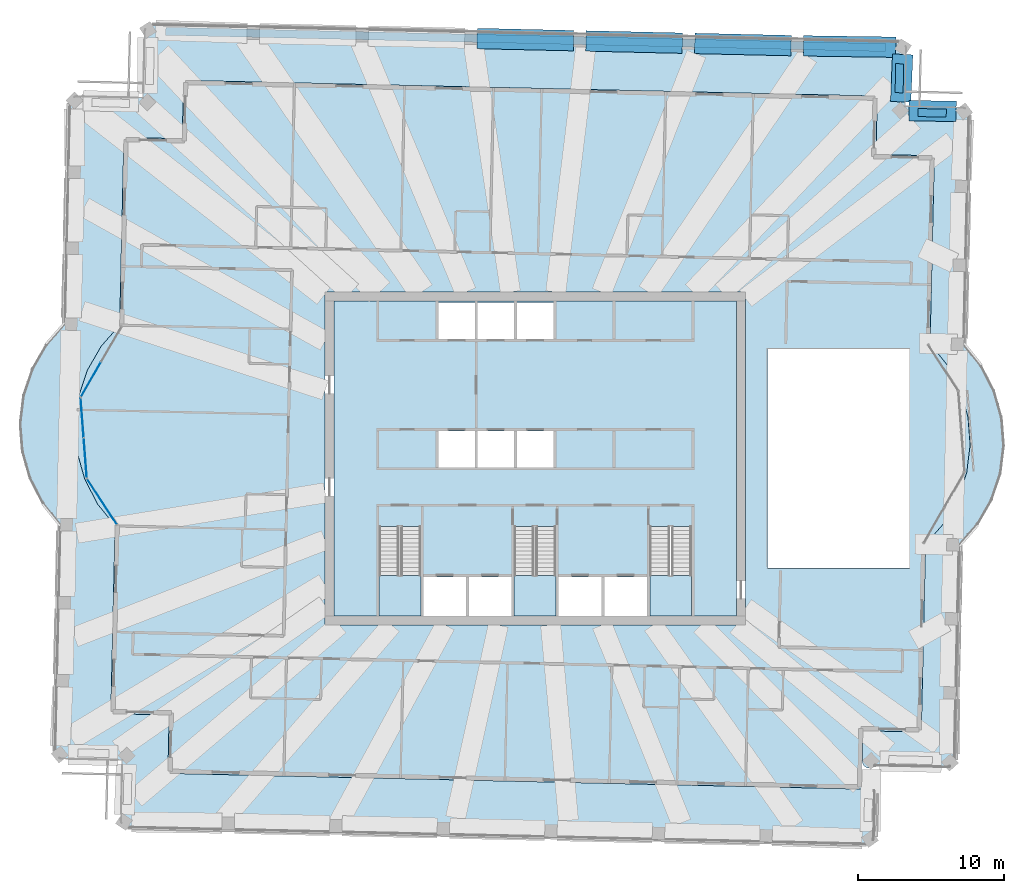
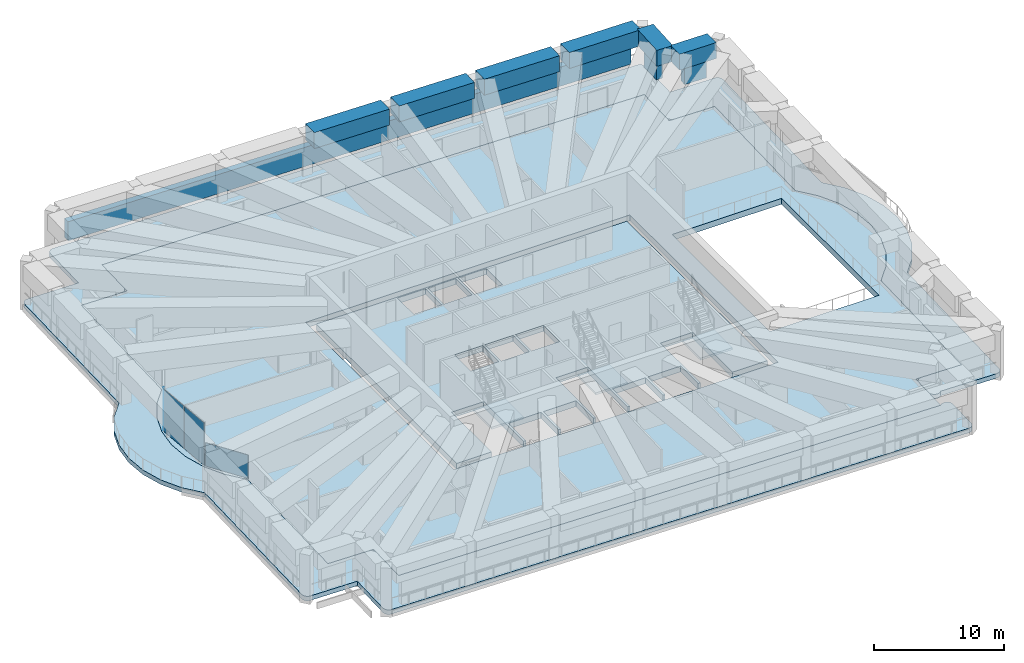
# One storey, part 8 of 21: 6 beams, 6 slabs, 4 plates, 3 members, 6 elements without a shape of their own.
"""IFC4 building model written with IfcOpenShell, lengths in metres."""

from ifc_helpers import new_model, si_unit, direction, frame, origin, origin_2d, place, context, subcontext, project, spatial, polyline, rectangle, outline, extrude, material, layer, layer_set, material_profile, profile_set, type_object, element, aggregate, save


model = new_model("IFC4")

# Units and contexts
model_context = context("Model", 3, precision=1e-05, world=origin(), true_north=direction((0.0, 1.0)))
body_context = subcontext(model_context, "Body", "Model", "MODEL_VIEW")
ifc_project = project(units=[si_unit("LENGTHUNIT", "METRE"), si_unit("AREAUNIT", "SQUARE_METRE"), si_unit("VOLUMEUNIT", "CUBIC_METRE"), si_unit("PLANEANGLEUNIT", "RADIAN"), si_unit("MASSUNIT", "GRAM", prefix="KILO")], contexts=[model_context])

# Site, building, storey
site_placement = place(None, origin())
site = spatial("IfcSite", under=ifc_project, at=site_placement, CompositionType="ELEMENT")
building_placement = place(site_placement, origin())
building = spatial("IfcBuilding", under=site, at=building_placement, Name="Mangrove Gate Tower", CompositionType="ELEMENT")
storey_placement = place(building_placement, frame((0.0, 0.0, 329.699951171875)))
storey = spatial("IfcBuildingStorey", under=building, at=storey_placement, Name="L84", CompositionType="ELEMENT", Elevation=329.699951171875)

# Members
ifc_material_1 = material(Name="Planting on aluminium trellis", Category="aluminium")
ifc_material_profile_1 = material_profile(ifc_material_1, rectangle(XDim=0.550048828125, YDim=1.800048828125, at=origin_2d()))
ifc_profile_set_1 = profile_set([ifc_material_profile_1], Name="Planting on aluminium trellis")
member_type = type_object("IfcMemberType", Name="Roof greenery screen 550x1800", PredefinedType="USERDEFINED", material=ifc_profile_set_1)
member_1_placement = place(storey_placement, frame((-25.3291015625, 29.280029296875, 1.699951171875), z_axis=(0.999742379265, -0.022697469065, 0.0), x_axis=(0.022697469065, 0.999742379265, 0.0)))
element("IfcMember", 1, at=member_1_placement, inside=storey, type_object=member_type, Name="GREEN SCREEN L84 T1.3.6", ObjectType="PLANTING", PredefinedType="USERDEFINED", context=body_context, shape_type="SweptSolid", body=[
    extrude(rectangle(XDim=0.550048828125, YDim=1.800048828125, at=origin_2d()), origin(), (0.0, 0.0, 1.0), 49.349853515625),
])
member_2_placement = place(storey_placement, frame((24.968017578125, 27.053955078125, 1.699951171875), z_axis=(-0.022601425009, -0.999744555168, 0.0), x_axis=(0.999744555168, -0.022601425009, 0.0)))
element("IfcMember", 2, at=member_2_placement, inside=storey, type_object=member_type, Name="GREEN SCREEN L84 T1.4.6", ObjectType="PLANTING", PredefinedType="USERDEFINED", context=body_context, shape_type="SweptSolid", body=[
    extrude(rectangle(XDim=0.550048828125, YDim=1.800048828125, at=origin_2d()), origin(), (0.0, 0.0, 1.0), 1.987548828125),
])
member_3_placement = place(storey_placement, frame((26.219970703125, 23.7099609375, 1.699951171875), z_axis=(0.999742745482, -0.022681332769, 0.0), x_axis=(0.022681332769, 0.999742745482, 0.0)))
element("IfcMember", 3, at=member_3_placement, inside=storey, type_object=member_type, Name="GREEN SCREEN L84 T1.4.9", ObjectType="PLANTING", PredefinedType="USERDEFINED", context=body_context, shape_type="SweptSolid", body=[
    extrude(rectangle(XDim=0.550048828125, YDim=1.800048828125, at=origin_2d()), origin(), (0.0, 0.0, 1.0), 1.9375),
])

# Beams
ifc_material_2 = material(Name="Concrete C50/60", Category="concrete")
ifc_material_profile_2 = material_profile(ifc_material_2, rectangle(XDim=1.39990234375, YDim=1.5, at=origin_2d()))
ifc_profile_set_2 = profile_set([ifc_material_profile_2], Name="Concrete C50/60")
beam_type = type_object("IfcBeamType", Name="Transfer girder RC 1400x1500 C50/60", PredefinedType="BEAM", material=ifc_profile_set_2)
beam_1_placement = place(storey_placement, frame((28.835693359375, 23.792724609375, 3.300048828125), z_axis=(-0.999882267326, 0.015344428505, 0.0), x_axis=(-0.015344428505, -0.999882267326, 0.0)))
element("IfcBeam", 4, at=beam_1_placement, inside=storey, type_object=beam_type, Name="Transfer ring girder L84 21", PredefinedType="BEAM", context=body_context, shape_type="SweptSolid", body=[
    extrude(rectangle(XDim=1.39990234375, YDim=1.5, at=origin_2d()), origin(), (0.0, 0.0, 1.0), 3.22998046875),
])
beam_2_placement = place(storey_placement, frame((25.03466796875, 24.4404296875, 3.300048828125), z_axis=(0.042188460551, 0.999109670555, 0.0), x_axis=(-0.999109670555, 0.042188460551, 0.0)))
element("IfcBeam", 5, at=beam_2_placement, inside=storey, type_object=beam_type, Name="Transfer ring girder L84 22", PredefinedType="BEAM", context=body_context, shape_type="SweptSolid", body=[
    extrude(rectangle(XDim=1.39990234375, YDim=1.5, at=origin_2d()), origin(), (0.0, 0.0, 1.0), 3.258056640625),
])
beam_3_placement = place(storey_placement, frame((24.697021484375, 28.190185546875, 3.300048828125), z_axis=(-0.999894517446, 0.014524254918, 0.0), x_axis=(-0.014524254918, -0.999894517446, 0.0)))
element("IfcBeam", 6, at=beam_3_placement, inside=storey, type_object=beam_type, Name="Transfer ring girder L84 23", PredefinedType="BEAM", context=body_context, shape_type="SweptSolid", body=[
    extrude(rectangle(XDim=1.39990234375, YDim=1.5, at=origin_2d()), origin(), (0.0, 0.0, 1.0), 6.3203125),
])
beam_4_placement = place(storey_placement, frame((17.527587890625, 28.2978515625, 3.300048828125), z_axis=(-0.999743435472, 0.022650899096, 0.0), x_axis=(-0.022650899096, -0.999743435472, 0.0)))
element("IfcBeam", 7, at=beam_4_placement, inside=storey, type_object=beam_type, Name="Transfer ring girder L84 24", PredefinedType="BEAM", context=body_context, shape_type="SweptSolid", body=[
    extrude(rectangle(XDim=1.39990234375, YDim=1.5, at=origin_2d()), origin(), (0.0, 0.0, 1.0), 6.607177734375),
])
beam_5_placement = place(storey_placement, frame((10.072509765625, 28.466796875, 3.300048828125), z_axis=(-0.999740135153, 0.022796099759, 0.0), x_axis=(-0.022796099759, -0.999740135153, 0.0)))
element("IfcBeam", 8, at=beam_5_placement, inside=storey, type_object=beam_type, Name="Transfer ring girder L84 25", PredefinedType="BEAM", context=body_context, shape_type="SweptSolid", body=[
    extrude(rectangle(XDim=1.39990234375, YDim=1.5, at=origin_2d()), origin(), (0.0, 0.0, 1.0), 6.60791015625),
])
beam_6_placement = place(storey_placement, frame((2.616455078125, 28.63671875, 3.300048828125), z_axis=(-0.999743416513, 0.022651735883, 0.0), x_axis=(-0.022651735883, -0.999743416513, 0.0)))
element("IfcBeam", 9, at=beam_6_placement, inside=storey, type_object=beam_type, Name="Transfer ring girder L84 26", PredefinedType="BEAM", context=body_context, shape_type="SweptSolid", body=[
    extrude(rectangle(XDim=1.39990234375, YDim=1.5, at=origin_2d()), origin(), (0.0, 0.0, 1.0), 6.60693359375),
])

# Slab
ifc_material_3 = material(Name="Concrete C40/50", Category="concrete")
ifc_layer_1 = layer(ifc_material_3, 0.550048828125)
ifc_layer_set_1 = layer_set([ifc_layer_1], Name="Core floor slab 550 C40/50")
slab_type_1 = type_object("IfcSlabType", Name="Core floor slab 550 C40/50", PredefinedType="FLOOR", material=ifc_layer_set_1)
slab_1_placement = place(storey_placement, frame((0.0, 0.0, -0.550048828125)))
element("IfcSlab", 10, at=slab_1_placement, inside=storey, type_object=slab_type_1, Name="SLAB-L84-CORE-1", PredefinedType="FLOOR", context=body_context, shape_type="SweptSolid", body=[
    extrude(outline(polyline([(-13.800048828125, -10.800048828125), (-13.800048828125, 10.800048828125), (13.800048828125, 10.800048828125), (13.800048828125, -10.800048828125), (10.699951171875, -10.800048828125), (10.699951171875, -4.653076171875), (7.85009765625, -4.653076171875), (7.85009765625, -10.800048828125), (7.64990234375, -10.800048828125), (7.64990234375, -8.10009765625), (4.72509765625, -8.10009765625), (4.72509765625, -10.800048828125), (4.52490234375, -10.800048828125), (4.52490234375, -8.10009765625), (1.60009765625, -8.10009765625), (1.60009765625, -10.800048828125), (1.39990234375, -10.800048828125), (1.39990234375, -4.653076171875), (-1.449951171875, -4.653076171875), (-1.449951171875, -10.800048828125), (-1.64990234375, -10.800048828125), (-1.64990234375, -8.10009765625), (-4.550048828125, -8.10009765625), (-4.550048828125, -10.800048828125), (-4.75, -10.800048828125), (-4.75, -8.10009765625), (-7.64990234375, -8.10009765625), (-7.64990234375, -10.800048828125), (-7.85009765625, -10.800048828125), (-7.85009765625, -4.653076171875), (-10.699951171875, -4.653076171875), (-10.699951171875, -10.800048828125), (-13.800048828125, -10.800048828125)]), holes=[polyline([(-4.14990234375, 1.89990234375), (-6.64990234375, 1.89990234375), (-6.64990234375, -0.60009765625), (-4.14990234375, -0.60009765625), (-4.14990234375, 1.89990234375)]), polyline([(-1.449951171875, -0.60009765625), (-1.449951171875, 1.89990234375), (-3.949951171875, 1.89990234375), (-3.949951171875, -0.60009765625), (-1.449951171875, -0.60009765625)]), polyline([(-4.14990234375, 8.199951171875), (-4.14990234375, 10.699951171875), (-6.64990234375, 10.699951171875), (-6.64990234375, 8.199951171875), (-4.14990234375, 8.199951171875)]), polyline([(-1.449951171875, 10.699951171875), (-3.949951171875, 10.699951171875), (-3.949951171875, 8.199951171875), (-1.449951171875, 8.199951171875), (-1.449951171875, 10.699951171875)]), polyline([(1.25, -0.60009765625), (1.25, 1.89990234375), (-1.25, 1.89990234375), (-1.25, -0.60009765625), (1.25, -0.60009765625)]), polyline([(1.25, 8.199951171875), (1.25, 10.699951171875), (-1.25, 10.699951171875), (-1.25, 8.199951171875), (1.25, 8.199951171875)])]), origin(), (0.0, 0.0, 1.0), 0.550048828125),
])

# Stair, slab
ifc_material_4 = material(Name="Concrete C40/50", Category="concrete")
stair_type = type_object("IfcStairType", Name="Core stair 1350", PredefinedType="HALF_TURN_STAIR", material=ifc_material_4)
stair_1_placement = place(storey_placement, origin())
stair_1 = element("IfcStair", 11, at=stair_1_placement, inside=storey, type_object=stair_type, Name="L84 Stair 1", PredefinedType="HALF_TURN_STAIR")
ifc_material_5 = material(Name="Concrete C40/50", Category="concrete")
ifc_layer_2 = layer(ifc_material_5, 0.199951171875)
ifc_layer_set_2 = layer_set([ifc_layer_2], Name="Core stair landing 200")
slab_type_2 = type_object("IfcSlabType", Name="Core stair landing 200", PredefinedType="LANDING", material=ifc_layer_set_2)
slab_2_placement = place(storey_placement, frame((0.0, 0.0, 2.10009765625)))
slab_2 = element("IfcSlab", 12, at=slab_2_placement, type_object=slab_type_2, Name="ST1 landing 1", PredefinedType="LANDING", context=body_context, shape_type="SweptSolid", body=[
    extrude(outline(polyline([(-10.699951171875, -8.010009765625), (-10.699951171875, -10.800048828125), (-7.85009765625, -10.800048828125), (-7.85009765625, -8.010009765625), (-10.699951171875, -8.010009765625)])), origin(), (0.0, 0.0, 1.0), 0.199951171875),
])
aggregate(stair_1, [slab_2])

stair_2_placement = place(storey_placement, origin())
stair_2 = element("IfcStair", 13, at=stair_2_placement, inside=storey, type_object=stair_type, Name="L84 Stair 2", PredefinedType="HALF_TURN_STAIR")
slab_3_placement = place(storey_placement, frame((0.0, 0.0, 2.10009765625)))
slab_3 = element("IfcSlab", 14, at=slab_3_placement, type_object=slab_type_2, Name="ST2 landing 1", PredefinedType="LANDING", context=body_context, shape_type="SweptSolid", body=[
    extrude(outline(polyline([(-1.449951171875, -8.010009765625), (-1.449951171875, -10.800048828125), (1.39990234375, -10.800048828125), (1.39990234375, -8.010009765625), (-1.449951171875, -8.010009765625)])), origin(), (0.0, 0.0, 1.0), 0.199951171875),
])
aggregate(stair_2, [slab_3])

stair_3_placement = place(storey_placement, origin())
stair_3 = element("IfcStair", 15, at=stair_3_placement, inside=storey, type_object=stair_type, Name="L84 Stair 3", PredefinedType="HALF_TURN_STAIR")
slab_4_placement = place(storey_placement, frame((0.0, 0.0, 2.10009765625)))
slab_4 = element("IfcSlab", 16, at=slab_4_placement, type_object=slab_type_2, Name="ST3 landing 1", PredefinedType="LANDING", context=body_context, shape_type="SweptSolid", body=[
    extrude(outline(polyline([(7.85009765625, -8.010009765625), (7.85009765625, -10.800048828125), (10.699951171875, -10.800048828125), (10.699951171875, -8.010009765625), (7.85009765625, -8.010009765625)])), origin(), (0.0, 0.0, 1.0), 0.199951171875),
])
aggregate(stair_3, [slab_4])

# Curtain wall, plate
ifc_material_6 = material(Name="Aluminium and glass curtain wall", Category="aluminium")
curtain_wall_type = type_object("IfcCurtainWallType", Name="Crown garden glazing wall", PredefinedType="NOTDEFINED", material=ifc_material_6)
curtain_wall_1_placement = place(storey_placement, origin())
curtain_wall_1 = element("IfcCurtainWall", 17, at=curtain_wall_1_placement, inside=storey, type_object=curtain_wall_type, Name="Crown garden glazing W9f1", PredefinedType="NOTDEFINED")
ifc_material_7 = material(Name="Laminated low-e glass", Category="glass")
ifc_layer_3 = layer(ifc_material_7, 0.02587890625)
ifc_layer_set_3 = layer_set([ifc_layer_3], Name="Crown garden glazing panel 26")
plate_type = type_object("IfcPlateType", Name="Crown garden glazing panel 26", PredefinedType="CURTAIN_PANEL", material=ifc_layer_set_3)
plate_1_placement = place(storey_placement, frame((-30.4482421875, 5.4287109375, 0.0), z_axis=(0.0, 0.0, 1.0), x_axis=(-0.500418160284, -0.865783844189, 0.0)))
plate_1 = element("IfcPlate", 18, at=plate_1_placement, type_object=plate_type, Name="CWC panel 2.1", PredefinedType="CURTAIN_PANEL", context=body_context, shape_type="SweptSolid", body=[
    extrude(rectangle(XDim=2.73095703125, YDim=0.02587890625, at=origin_2d()), origin(), (0.0, 0.0, 1.0), 2.18994140625),
])
aggregate(curtain_wall_1, [plate_1])

# Curtain wall, plates
curtain_wall_2_placement = place(storey_placement, origin())
curtain_wall_2 = element("IfcCurtainWall", 19, at=curtain_wall_2_placement, inside=storey, type_object=curtain_wall_type, Name="Crown garden glazing W9f2", PredefinedType="NOTDEFINED")
plate_2_placement = place(storey_placement, frame((-31.052978515625, 2.79052734375, 0.0), z_axis=(0.0, 0.0, 1.0), x_axis=(0.077023348229, -0.997029289353, 0.0)))
plate_2 = element("IfcPlate", 20, at=plate_2_placement, type_object=plate_type, Name="CWC panel 1.1", PredefinedType="CURTAIN_PANEL", context=body_context, shape_type="SweptSolid", body=[
    extrude(rectangle(XDim=2.69677734375, YDim=0.02587890625, at=origin_2d()), origin(), (0.0, 0.0, 1.0), 3.989990234375),
])
plate_3_placement = place(storey_placement, frame((-30.8408203125, 0.0419921875, 0.0), z_axis=(0.0, 0.0, 1.0), x_axis=(0.077023348229, -0.997029289353, 0.0)))
plate_3 = element("IfcPlate", 21, at=plate_3_placement, type_object=plate_type, Name="CWC panel 2.1", PredefinedType="CURTAIN_PANEL", context=body_context, shape_type="SweptSolid", body=[
    extrude(rectangle(XDim=2.69677734375, YDim=0.02587890625, at=origin_2d()), origin(), (0.0, 0.0, 1.0), 3.989990234375),
])
aggregate(curtain_wall_2, [plate_2, plate_3])

# Curtain wall, plate
curtain_wall_3_placement = place(storey_placement, origin())
curtain_wall_3 = element("IfcCurtainWall", 22, at=curtain_wall_3_placement, inside=storey, type_object=curtain_wall_type, Name="Crown garden glazing W9f3", PredefinedType="NOTDEFINED")
plate_4_placement = place(storey_placement, frame((-29.68994140625, -2.96044921875, 0.0), z_axis=(0.0, 0.0, 1.0), x_axis=(0.546235085045, -0.837631919083, 0.0)))
plate_4 = element("IfcPlate", 23, at=plate_4_placement, type_object=plate_type, Name="CWC panel 1.1", PredefinedType="CURTAIN_PANEL", context=body_context, shape_type="SweptSolid", body=[
    extrude(rectangle(XDim=3.696044921875, YDim=0.02587890625, at=origin_2d()), origin(), (0.0, 0.0, 1.0), 2.18994140625),
])
aggregate(curtain_wall_3, [plate_4])

# Slabs
ifc_material_8 = material(Name="Concrete C40/50", Category="concrete")
ifc_layer_4 = layer(ifc_material_8, 0.550048828125)
ifc_layer_set_4 = layer_set([ifc_layer_4], Name="Floor slab 550 C40/50")
slab_type_3 = type_object("IfcSlabType", Name="Floor slab 550 C40/50", PredefinedType="FLOOR", material=ifc_layer_set_4)
slab_5_placement = place(storey_placement, frame((0.0, 0.0, -0.550048828125)))
element("IfcSlab", 24, at=slab_5_placement, inside=storey, type_object=slab_type_3, Name="Floor slab L84", PredefinedType="FLOOR", context=body_context, shape_type="SweptSolid", body=[
    extrude(outline(polyline([(-25.182861328125, -21.571044921875), (22.35498046875, -22.649658203125), (22.445556640625, -18.650634765625), (26.444580078125, -18.741455078125), (26.736572265625, -5.8701171875), (27.999755859375, -4.43359375), (28.952880859375, -2.775146484375), (29.558349609375, -0.9609375), (29.7919921875, 0.9375), (29.64453125, 2.8447265625), (29.1220703125, 4.684814453125), (28.2451171875, 6.384521484375), (27.048583984375, 7.876953125), (27.3408203125, 20.748291015625), (23.341796875, 20.839111328125), (23.4326171875, 24.838134765625), (-24.105224609375, 25.916748046875), (-24.196044921875, 21.91796875), (-28.195068359375, 22.008544921875), (-28.487060546875, 9.13720703125), (-29.75, 7.70068359375), (-30.703125, 6.042236328125), (-31.30859375, 4.22802734375), (-31.542236328125, 2.32958984375), (-31.39501953125, 0.42236328125), (-30.87255859375, -1.417724609375), (-29.99560546875, -3.117431640625), (-28.799072265625, -4.60986328125), (-29.091064453125, -17.481201171875), (-25.092041015625, -17.572021484375), (-25.182861328125, -21.571044921875)]), holes=[polyline([(15.89990234375, 7.5), (25.623046875, 7.5), (25.623046875, -7.5), (15.89990234375, -7.5), (15.89990234375, 7.5)]), polyline([(-14.39990234375, -11.39990234375), (-14.39990234375, 11.39990234375), (14.39990234375, 11.39990234375), (14.39990234375, -11.39990234375), (-14.39990234375, -11.39990234375)])]), origin(), (0.0, 0.0, 1.0), 0.550048828125),
])
ifc_material_9 = material(Name="Granite", Category="masonry")
ifc_layer_5 = layer(ifc_material_9, 0.030029296875, Name="Granite paving")
ifc_material_10 = material(Name="Cement sand screed")
ifc_layer_6 = layer(ifc_material_10, 0.0400390625, Name="Bedding screed")
ifc_material_11 = material(Name="Bituminous waterproofing membrane")
ifc_layer_7 = layer(ifc_material_11, 0.0048828125, Name="Waterproofing")
ifc_material_12 = material(Name="Extruded polystyrene insulation")
ifc_layer_8 = layer(ifc_material_12, 0.0400390625, Name="Insulation")
ifc_material_13 = material(Name="Concrete C40/50", Category="concrete")
ifc_layer_9 = layer(ifc_material_13, 0.304931640625, Name="Terrace structural slab")
ifc_layer_set_5 = layer_set([ifc_layer_5, ifc_layer_6, ifc_layer_7, ifc_layer_8, ifc_layer_9], Name="Terrace slab C40/50")
slab_type_4 = type_object("IfcSlabType", Name="Terrace slab C40/50", PredefinedType="FLOOR", material=ifc_layer_set_5)
slab_6_placement = place(storey_placement, frame((0.0, 0.0, -0.419921875)))
element("IfcSlab", 25, at=slab_6_placement, inside=storey, type_object=slab_type_4, Name="TERRACE L84 1", PredefinedType="FLOOR", context=body_context, shape_type="SweptSolid", body=[
    extrude(outline(polyline([(-32.549072265625, -4.52490234375), (-32.548095703125, -4.537109375), (-32.89990234375, -20.044921875), (-32.89892578125, -20.094970703125), (-32.89306640625, -20.14306640625), (-32.882080078125, -20.19091796875), (-32.866943359375, -20.238037109375), (-32.846923828125, -20.281982421875), (-32.822021484375, -20.324951171875), (-32.7939453125, -20.364990234375), (-32.761962890625, -20.402099609375), (-32.72607421875, -20.43603515625), (-32.68798828125, -20.466064453125), (-32.64599609375, -20.491943359375), (-32.60205078125, -20.513916015625), (-32.555908203125, -20.531982421875), (-32.509033203125, -20.544921875), (-32.4609375, -20.552978515625), (-32.412109375, -20.556884765625), (-28.324951171875, -20.64892578125), (-28.31298828125, -20.64990234375), (-28.31298828125, -20.662109375), (-28.406005859375, -24.7490234375), (-28.405029296875, -24.798095703125), (-28.39794921875, -24.845947265625), (-28.387939453125, -24.89404296875), (-28.3720703125, -24.94091796875), (-28.35205078125, -24.986083984375), (-28.327880859375, -25.028076171875), (-28.300048828125, -25.068115234375), (-28.26708984375, -25.10498046875), (-28.23193359375, -25.138916015625), (-28.193115234375, -25.1689453125), (-28.152099609375, -25.195068359375), (-28.10791015625, -25.217041015625), (-28.06201171875, -25.235107421875), (-28.014892578125, -25.248046875), (-27.966064453125, -25.256103515625), (-27.9169921875, -25.260009765625), (22.669921875, -26.407958984375), (22.718994140625, -26.406982421875), (22.76708984375, -26.39990234375), (22.81494140625, -26.389892578125), (22.862060546875, -26.3740234375), (22.906982421875, -26.35400390625), (22.948974609375, -26.330078125), (22.989013671875, -26.302001953125), (23.02587890625, -26.26904296875), (23.06005859375, -26.23388671875), (23.090087890625, -26.195068359375), (23.116943359375, -26.154052734375), (23.138916015625, -26.110107421875), (23.156005859375, -26.06396484375), (23.1689453125, -26.01708984375), (23.177001953125, -25.968017578125), (23.180908203125, -25.9189453125), (23.248046875, -22.968994140625), (23.24609375, -22.9189453125), (23.239990234375, -22.868896484375), (23.22900390625, -22.821044921875), (23.212890625, -22.77294921875), (23.19189453125, -22.72802734375), (23.1669921875, -22.68408203125), (23.136962890625, -22.64404296875), (23.10400390625, -22.60693359375), (23.06689453125, -22.572998046875), (23.027099609375, -22.54296875), (22.98388671875, -22.51708984375), (22.93896484375, -22.49609375), (22.89208984375, -22.47900390625), (22.843017578125, -22.467041015625), (22.7939453125, -22.4599609375), (22.743896484375, -22.4580078125), (22.694091796875, -22.4609375), (22.64404296875, -22.468994140625), (22.595947265625, -22.48095703125), (22.549072265625, -22.4990234375), (22.50390625, -22.52099609375), (22.4619140625, -22.548095703125), (22.422119140625, -22.577880859375), (22.385986328125, -22.613037109375), (22.35595703125, -22.64794921875), (22.35498046875, -22.64892578125), (22.343017578125, -22.64892578125), (-25.1708984375, -21.571044921875), (-25.181884765625, -21.570068359375), (-25.18310546875, -21.55908203125), (-25.10302734375, -18.072021484375), (-25.10498046875, -18.02294921875), (-25.111083984375, -17.97412109375), (-25.1220703125, -17.926025390625), (-25.136962890625, -17.8798828125), (-25.156982421875, -17.8349609375), (-25.180908203125, -17.7919921875), (-25.2099609375, -17.751953125), (-25.241943359375, -17.715087890625), (-25.277099609375, -17.680908203125), (-25.31591796875, -17.65087890625), (-25.35791015625, -17.625), (-25.402099609375, -17.60302734375), (-25.447021484375, -17.5849609375), (-25.4951171875, -17.572021484375), (-25.54296875, -17.56396484375), (-25.592041015625, -17.56103515625), (-29.0791015625, -17.48193359375), (-29.091064453125, -17.48095703125), (-29.091064453125, -17.468994140625), (-28.802978515625, -4.7919921875), (-28.804931640625, -4.741943359375), (-28.81103515625, -4.693115234375), (-28.822021484375, -4.64404296875), (-28.837890625, -4.596923828125), (-28.85888671875, -4.551025390625), (-28.884033203125, -4.508056640625), (-28.9130859375, -4.468017578125), (-29.988037109375, -3.126953125), (-29.9951171875, -3.116943359375), (-30.0009765625, -3.10595703125), (-30.866943359375, -1.428955078125), (-30.8720703125, -1.4169921875), (-30.8759765625, -1.406005859375), (-31.39208984375, 0.409912109375), (-31.39404296875, 0.423095703125), (-31.39599609375, 0.43505859375), (-31.541015625, 2.31689453125), (-31.5419921875, 2.3291015625), (-31.541015625, 2.342041015625), (-31.31005859375, 4.216064453125), (-31.30810546875, 4.22802734375), (-31.304931640625, 4.239990234375), (-30.70703125, 6.031005859375), (-30.702880859375, 6.0419921875), (-30.697021484375, 6.052978515625), (-29.756103515625, 7.68994140625), (-29.75, 7.699951171875), (-29.741943359375, 7.7099609375), (-28.60693359375, 9.0), (-28.575927734375, 9.0400390625), (-28.549072265625, 9.0810546875), (-28.527099609375, 9.1259765625), (-28.509033203125, 9.172119140625), (-28.4951171875, 9.219970703125), (-28.487060546875, 9.27001953125), (-28.48291015625, 9.319091796875), (-28.195068359375, 21.99609375), (-28.194091796875, 22.008056640625), (-28.18310546875, 22.008056640625), (-24.696044921875, 21.928955078125), (-24.64697265625, 21.929931640625), (-24.597900390625, 21.93701171875), (-24.550048828125, 21.947021484375), (-24.50390625, 21.962890625), (-24.458984375, 21.98291015625), (-24.416015625, 22.007080078125), (-24.3759765625, 22.034912109375), (-24.339111328125, 22.068115234375), (-24.304931640625, 22.10302734375), (-24.27490234375, 22.14208984375), (-24.2490234375, 22.18310546875), (-24.22705078125, 22.22705078125), (-24.208984375, 22.27294921875), (-24.196044921875, 22.320068359375), (-24.18798828125, 22.368896484375), (-24.18505859375, 22.41796875), (-24.10595703125, 25.905029296875), (-24.10498046875, 25.916015625), (-24.093017578125, 25.9169921875), (23.419921875, 24.837890625), (23.431884765625, 24.8369140625), (23.431884765625, 24.825927734375), (23.35302734375, 21.339111328125), (23.35400390625, 21.2900390625), (23.361083984375, 21.240966796875), (23.37109375, 21.193115234375), (23.386962890625, 21.14697265625), (23.406982421875, 21.10205078125), (23.430908203125, 21.05908203125), (23.458984375, 21.01904296875), (23.491943359375, 20.98193359375), (23.527099609375, 20.947998046875), (23.56591796875, 20.91796875), (23.60693359375, 20.89208984375), (23.65087890625, 20.8701171875), (23.697021484375, 20.85302734375), (23.743896484375, 20.840087890625), (23.79296875, 20.8310546875), (23.842041015625, 20.827880859375), (27.327880859375, 20.7490234375), (27.340087890625, 20.748046875), (27.340087890625, 20.736083984375), (27.052978515625, 8.05908203125), (27.053955078125, 8.009033203125), (27.06005859375, 7.9599609375), (27.072021484375, 7.910888671875), (27.087890625, 7.864013671875), (27.10791015625, 7.818115234375), (27.133056640625, 7.77490234375), (27.1630859375, 7.735107421875), (28.237060546875, 6.39404296875), (28.2451171875, 6.384033203125), (28.2509765625, 6.3740234375), (29.115966796875, 4.696044921875), (29.1220703125, 4.68505859375), (29.1259765625, 4.673095703125), (29.64111328125, 2.85693359375), (29.64404296875, 2.844970703125), (29.64599609375, 2.83203125), (29.791015625, 0.949951171875), (29.791015625, 0.93798828125), (29.7900390625, 0.925048828125), (29.56005859375, -0.947998046875), (29.55810546875, -0.9609375), (29.553955078125, -0.972900390625), (28.95703125, -2.762939453125), (28.951904296875, -2.77490234375), (28.947021484375, -2.785888671875), (28.006103515625, -4.423095703125), (27.9990234375, -4.43310546875), (27.990966796875, -4.443115234375), (26.85693359375, -5.73291015625), (26.825927734375, -5.77197265625), (26.799072265625, -5.81396484375), (26.77587890625, -5.85888671875), (26.758056640625, -5.905029296875), (26.7451171875, -5.952880859375), (26.736083984375, -6.001953125), (26.73291015625, -6.052001953125), (26.445068359375, -18.72900390625), (26.444091796875, -18.740966796875), (26.431884765625, -18.740966796875), (22.945068359375, -18.662109375), (22.89599609375, -18.6630859375), (22.847900390625, -18.6689453125), (22.800048828125, -18.679931640625), (22.7529296875, -18.696044921875), (22.708984375, -18.716064453125), (22.666015625, -18.739990234375), (22.6259765625, -18.76806640625), (22.589111328125, -18.800048828125), (22.554931640625, -18.8359375), (22.52490234375, -18.875), (22.4990234375, -18.916015625), (22.47705078125, -18.9599609375), (22.458984375, -19.006103515625), (22.446044921875, -19.052978515625), (22.43798828125, -19.10205078125), (22.43408203125, -19.15087890625), (22.39892578125, -20.700927734375), (22.39990234375, -20.7509765625), (22.406982421875, -20.801025390625), (22.41796875, -20.85009765625), (22.43408203125, -20.89697265625), (22.455078125, -20.943115234375), (22.47998046875, -20.986083984375), (22.510009765625, -21.02587890625), (22.54296875, -21.06396484375), (22.580078125, -21.096923828125), (22.6201171875, -21.126953125), (22.6630859375, -21.153076171875), (22.7080078125, -21.175048828125), (22.7548828125, -21.19091796875), (22.803955078125, -21.202880859375), (22.85302734375, -21.2099609375), (22.903076171875, -21.212890625), (22.952880859375, -21.2099609375), (23.0029296875, -21.201904296875), (23.051025390625, -21.18896484375), (23.097900390625, -21.1708984375), (23.14306640625, -21.14892578125), (23.18505859375, -21.123046875), (23.22509765625, -21.092041015625), (23.260986328125, -21.056884765625), (23.291015625, -21.02197265625), (23.2919921875, -21.02099609375), (23.303955078125, -21.02099609375), (28.19091796875, -21.132080078125), (28.239990234375, -21.1298828125), (28.2890625, -21.1240234375), (28.3359375, -21.114013671875), (28.383056640625, -21.097900390625), (28.427978515625, -21.077880859375), (28.469970703125, -21.053955078125), (28.510986328125, -21.02490234375), (28.548095703125, -20.992919921875), (28.5810546875, -20.9580078125), (28.611083984375, -20.9189453125), (28.637939453125, -20.8779296875), (28.659912109375, -20.833984375), (28.677001953125, -20.7880859375), (28.68994140625, -20.740966796875), (28.698974609375, -20.69189453125), (28.701904296875, -20.64306640625), (29.035888671875, -5.93505859375), (29.037109375, -5.923095703125), (29.0439453125, -5.9130859375), (30.26611328125, -4.52294921875), (30.297119140625, -4.48388671875), (30.323974609375, -4.44189453125), (31.22705078125, -2.87109375), (31.25, -2.825927734375), (31.26806640625, -2.780029296875), (31.842041015625, -1.06005859375), (31.85498046875, -1.011962890625), (31.864013671875, -0.962890625), (32.0849609375, 0.8359375), (32.089111328125, 0.885009765625), (32.0869140625, 0.93505859375), (31.947998046875, 2.742919921875), (31.94189453125, 2.7919921875), (31.929931640625, 2.841064453125), (31.43505859375, 4.583984375), (31.4189453125, 4.632080078125), (31.39892578125, 4.677001953125), (30.568115234375, 6.2880859375), (30.5419921875, 6.3310546875), (30.512939453125, 6.3720703125), (29.35595703125, 7.81494140625), (29.34912109375, 7.824951171875), (29.347900390625, 7.8369140625), (29.705078125, 23.544921875), (29.7041015625, 23.593994140625), (29.697021484375, 23.64306640625), (29.68701171875, 23.69091796875), (29.6708984375, 23.738037109375), (29.65087890625, 23.781982421875), (29.626953125, 23.824951171875), (29.59912109375, 23.864990234375), (29.56591796875, 23.902099609375), (29.531005859375, 23.93603515625), (29.491943359375, 23.966064453125), (29.450927734375, 23.991943359375), (29.406982421875, 24.013916015625), (29.361083984375, 24.031982421875), (29.31396484375, 24.044921875), (29.264892578125, 24.052978515625), (29.216064453125, 24.056884765625), (25.330078125, 24.14501953125), (25.318115234375, 24.14599609375), (25.318115234375, 24.156982421875), (25.406005859375, 28.0439453125), (25.404052734375, 28.093017578125), (25.39794921875, 28.14208984375), (25.387939453125, 28.18994140625), (25.3720703125, 28.236083984375), (25.35205078125, 28.281005859375), (25.327880859375, 28.323974609375), (25.299072265625, 28.364013671875), (25.26708984375, 28.40087890625), (25.23193359375, 28.43505859375), (25.193115234375, 28.465087890625), (25.152099609375, 28.490966796875), (25.10791015625, 28.512939453125), (25.06201171875, 28.531005859375), (25.014892578125, 28.5439453125), (24.966064453125, 28.552001953125), (24.9169921875, 28.554931640625), (-26.27001953125, 29.717041015625), (-26.319091796875, 29.716064453125), (-26.366943359375, 29.7099609375), (-26.4150390625, 29.698974609375), (-26.4619140625, 29.68310546875), (-26.507080078125, 29.6630859375), (-26.549072265625, 29.638916015625), (-26.589111328125, 29.611083984375), (-26.6259765625, 29.5791015625), (-26.659912109375, 29.54296875), (-26.68994140625, 29.50390625), (-26.716064453125, 29.462890625), (-26.738037109375, 29.4189453125), (-26.756103515625, 29.373046875), (-26.76904296875, 29.325927734375), (-26.777099609375, 29.277099609375), (-26.781005859375, 29.22802734375), (-26.883056640625, 24.741943359375), (-26.883056640625, 24.72998046875), (-26.89501953125, 24.72998046875), (-31.382080078125, 24.83203125), (-31.430908203125, 24.830078125), (-31.47900390625, 24.823974609375), (-31.527099609375, 24.81298828125), (-31.573974609375, 24.798095703125), (-31.618896484375, 24.778076171875), (-31.660888671875, 24.75390625), (-31.700927734375, 24.72509765625), (-31.739013671875, 24.693115234375), (-31.77197265625, 24.657958984375), (-31.802001953125, 24.618896484375), (-31.8291015625, 24.576904296875), (-31.85107421875, 24.533935546875), (-31.867919921875, 24.488037109375), (-31.881103515625, 24.43994140625), (-31.888916015625, 24.39208984375), (-31.89306640625, 24.343017578125), (-32.236083984375, 9.235107421875), (-32.237060546875, 9.222900390625), (-32.243896484375, 9.212890625), (-33.466064453125, 7.822998046875), (-33.4970703125, 7.783935546875), (-33.52392578125, 7.741943359375), (-34.427001953125, 6.1708984375), (-34.449951171875, 6.1259765625), (-34.468017578125, 6.080078125), (-35.0419921875, 4.360107421875), (-35.054931640625, 4.31201171875), (-35.06396484375, 4.262939453125), (-35.284912109375, 2.464111328125), (-35.2890625, 2.4150390625), (-35.287109375, 2.364990234375), (-35.14794921875, 0.556884765625), (-35.14208984375, 0.508056640625), (-35.1298828125, 0.458984375), (-34.635009765625, -1.283935546875), (-34.618896484375, -1.33203125), (-34.59912109375, -1.376953125), (-33.76806640625, -2.988037109375), (-33.741943359375, -3.031005859375), (-33.712890625, -3.072021484375), (-32.555908203125, -4.514892578125), (-32.549072265625, -4.52490234375)])), origin(), (0.0, 0.0, 1.0), 0.419921875),
])

save(model, "model.ifc")
